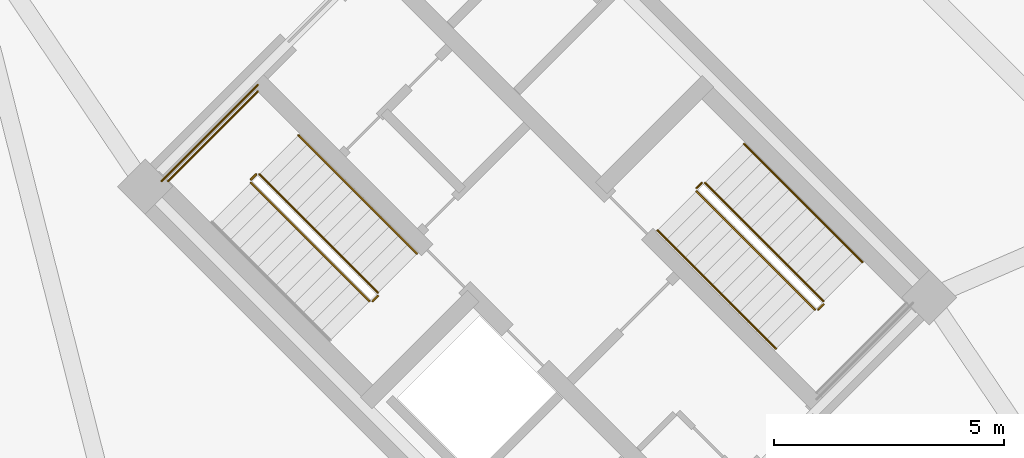
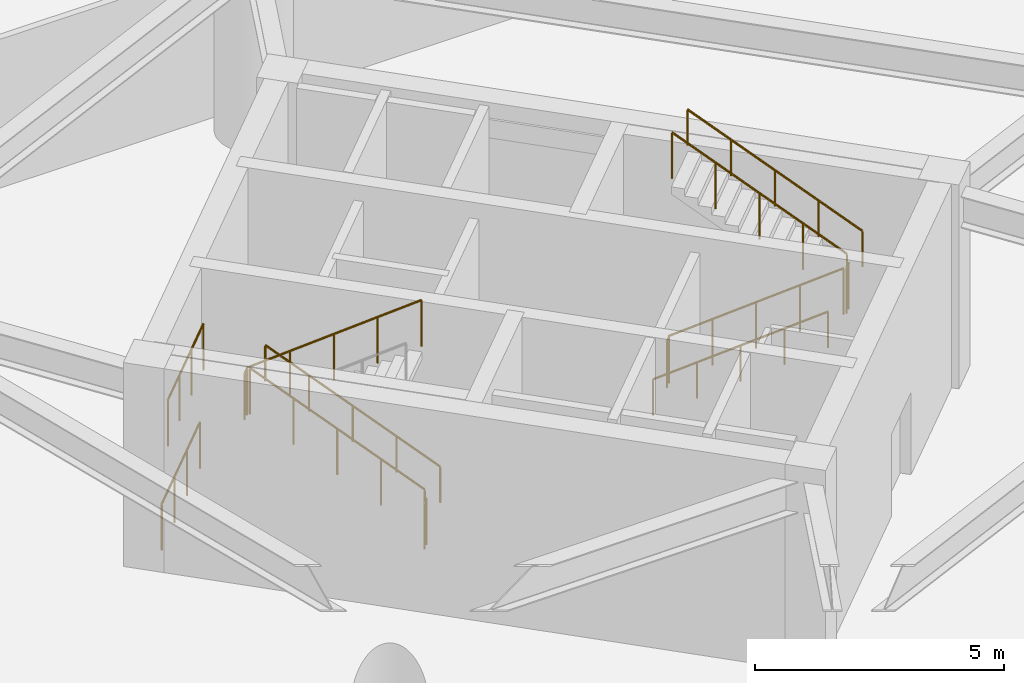
# One storey, part 12 of 14: 13 railings.
"""IFC4 building model written with IfcOpenShell, lengths in metres."""

from ifc_helpers import new_model, si_unit, direction, frame, origin, origin_2d, place, context, subcontext, project, spatial, circle, extrude, material, type_object, element, save


model = new_model("IFC4")

# Units and contexts
model_context = context("Model", 3, precision=1e-05, world=origin(), true_north=direction((0.0, 1.0)))
body_context = subcontext(model_context, "Body", "Model", "MODEL_VIEW")
ifc_project = project(units=[si_unit("LENGTHUNIT", "METRE"), si_unit("AREAUNIT", "SQUARE_METRE"), si_unit("VOLUMEUNIT", "CUBIC_METRE"), si_unit("PLANEANGLEUNIT", "RADIAN"), si_unit("MASSUNIT", "GRAM", prefix="KILO")], contexts=[model_context])

# Site, building, storey
site_placement = place(None, origin())
site = spatial("IfcSite", under=ifc_project, at=site_placement, CompositionType="ELEMENT")
building_placement = place(site_placement, origin())
building = spatial("IfcBuilding", under=site, at=building_placement, Name="Cununo Teusaquillo Station Towers", CompositionType="ELEMENT")
storey_placement = place(building_placement, frame((0.0, 0.0, -5.0)))
storey = spatial("IfcBuildingStorey", under=building, at=storey_placement, Name="B01", CompositionType="ELEMENT", Elevation=-5.0)

# Railings
ifc_material_1 = material(Name="Steel EN 10025-2 S355J2", Category="steel")
railing_type_1 = type_object("IfcRailingType", Name="RL-INT-GUARD", PredefinedType="GUARDRAIL", material=ifc_material_1)
railing_1_placement = place(storey_placement, frame((54.03515625, 23.39697265625, 0.178466796875)))
element("IfcRailing", 1, at=railing_1_placement, inside=storey, type_object=railing_type_1, Name="B01 ST-T2-1 stair guard 1", PredefinedType="GUARDRAIL", context=body_context, shape_type="SweptSolid", body=[
    extrude(circle(Radius=0.02392578125, at=origin_2d()), frame((0.0, 0.0, 1.1259765625), z_axis=(-0.596165694574, 0.596165694574, 0.537748016478), x_axis=(-0.707106781187, -0.707106781187, 0.0)), (0.0, 0.0, 1.0), 4.317138671875),
    extrude(circle(Radius=0.02099609375, at=origin_2d()), origin(), (0.0, 0.0, 1.0), 1.101806640625),
    extrude(circle(Radius=0.02099609375, at=origin_2d()), frame((-0.6435546875, 0.6435546875, 0.580322265625)), (0.0, 0.0, 1.0), 1.101806640625),
    extrude(circle(Radius=0.02099609375, at=origin_2d()), frame((-1.286865234375, 1.286865234375, 1.16064453125)), (0.0, 0.0, 1.0), 1.101806640625),
    extrude(circle(Radius=0.02099609375, at=origin_2d()), frame((-1.93017578125, 1.93017578125, 1.7412109375)), (0.0, 0.0, 1.0), 1.101806640625),
    extrude(circle(Radius=0.02099609375, at=origin_2d()), frame((-2.57373046875, 2.57373046875, 2.321533203125)), (0.0, 0.0, 1.0), 1.101806640625),
])
railing_2_placement = place(storey_placement, frame((51.390625, 25.970703125, 2.5)))
element("IfcRailing", 2, at=railing_2_placement, inside=storey, type_object=railing_type_1, Name="B01 ST-T2-1 stair guard 2", PredefinedType="GUARDRAIL", context=body_context, shape_type="SweptSolid", body=[
    extrude(circle(Radius=0.02392578125, at=origin_2d()), frame((0.0, 0.0, 1.1259765625), z_axis=(-0.707106781187, -0.707106781187, 0.0), x_axis=(0.707106781187, -0.707106781187, 0.0)), (0.0, 0.0, 1.0), 0.159912109375),
    extrude(circle(Radius=0.02099609375, at=origin_2d()), origin(), (0.0, 0.0, 1.0), 1.101806640625),
    extrude(circle(Radius=0.02099609375, at=origin_2d()), frame((-0.113037109375, -0.113037109375, 0.0)), (0.0, 0.0, 1.0), 1.101806640625),
])
railing_3_placement = place(storey_placement, frame((51.426025390625, 27.77392578125, 2.5)))
element("IfcRailing", 3, at=railing_3_placement, inside=storey, type_object=railing_type_1, Name="B01 ST-T2-1 stair guard 3", PredefinedType="GUARDRAIL", context=body_context, shape_type="SweptSolid", body=[
    extrude(circle(Radius=0.02392578125, at=origin_2d()), frame((0.0, 0.0, 1.1259765625), z_axis=(-0.707106781187, -0.707106781187, 0.0), x_axis=(0.707106781187, -0.707106781187, 0.0)), (0.0, 0.0, 1.0), 2.760009765625),
    extrude(circle(Radius=0.02099609375, at=origin_2d()), origin(), (0.0, 0.0, 1.0), 1.101806640625),
    extrude(circle(Radius=0.02099609375, at=origin_2d()), frame((-0.650634765625, -0.650634765625, 0.0)), (0.0, 0.0, 1.0), 1.101806640625),
    extrude(circle(Radius=0.02099609375, at=origin_2d()), frame((-1.301025390625, -1.301025390625, 0.0)), (0.0, 0.0, 1.0), 1.101806640625),
    extrude(circle(Radius=0.02099609375, at=origin_2d()), frame((-1.95166015625, -1.95166015625, 0.0)), (0.0, 0.0, 1.0), 1.101806640625),
])
railing_4_placement = place(storey_placement, frame((51.277587890625, 25.786865234375, 2.678466796875)))
element("IfcRailing", 4, at=railing_4_placement, inside=storey, type_object=railing_type_1, Name="B01 ST-T2-1 stair guard 4", PredefinedType="GUARDRAIL", context=body_context, shape_type="SweptSolid", body=[
    extrude(circle(Radius=0.02392578125, at=origin_2d()), frame((0.0, 0.0, 1.1259765625), z_axis=(0.596165694574, -0.596165694574, 0.537748016478), x_axis=(0.707106781187, 0.707106781187, 0.0)), (0.0, 0.0, 1.0), 4.317138671875),
    extrude(circle(Radius=0.02099609375, at=origin_2d()), origin(), (0.0, 0.0, 1.0), 1.101806640625),
    extrude(circle(Radius=0.02099609375, at=origin_2d()), frame((0.6435546875, -0.6435546875, 0.580322265625)), (0.0, 0.0, 1.0), 1.101806640625),
    extrude(circle(Radius=0.02099609375, at=origin_2d()), frame((1.286865234375, -1.286865234375, 1.16064453125)), (0.0, 0.0, 1.0), 1.101806640625),
    extrude(circle(Radius=0.02099609375, at=origin_2d()), frame((1.93017578125, -1.93017578125, 1.7412109375)), (0.0, 0.0, 1.0), 1.101806640625),
    extrude(circle(Radius=0.02099609375, at=origin_2d()), frame((2.57373046875, -2.57373046875, 2.321533203125)), (0.0, 0.0, 1.0), 1.101806640625),
])
railing_5_placement = place(storey_placement, frame((54.03515625, 23.326171875, 0.0)))
element("IfcRailing", 5, at=railing_5_placement, inside=storey, type_object=railing_type_1, Name="B01 ST-T2-1 stair guard 5", PredefinedType="GUARDRAIL", context=body_context, shape_type="SweptSolid", body=[
    extrude(circle(Radius=0.02392578125, at=origin_2d()), frame((0.0, 0.0, 1.1259765625), z_axis=(-0.707106781187, -0.707106781187, 0.0), x_axis=(0.707106781187, -0.707106781187, 0.0)), (0.0, 0.0, 1.0), 0.159912109375),
    extrude(circle(Radius=0.02099609375, at=origin_2d()), origin(), (0.0, 0.0, 1.0), 1.101806640625),
    extrude(circle(Radius=0.02099609375, at=origin_2d()), frame((-0.113037109375, -0.113037109375, 0.0)), (0.0, 0.0, 1.0), 1.101806640625),
])
railing_6_placement = place(storey_placement, frame((51.426025390625, 27.915283203125, 0.0)))
element("IfcRailing", 6, at=railing_6_placement, inside=storey, type_object=railing_type_1, Name="B01 ST-T2-1 stair guard 6", PredefinedType="GUARDRAIL", context=body_context, shape_type="SweptSolid", body=[
    extrude(circle(Radius=0.02392578125, at=origin_2d()), frame((0.0, 0.0, 1.1259765625), z_axis=(-0.707106781187, -0.707106781187, 0.0), x_axis=(0.707106781187, -0.707106781187, 0.0)), (0.0, 0.0, 1.0), 2.9599609375),
    extrude(circle(Radius=0.02099609375, at=origin_2d()), origin(), (0.0, 0.0, 1.0), 1.101806640625),
    extrude(circle(Radius=0.02099609375, at=origin_2d()), frame((-0.69775390625, -0.69775390625, 0.0)), (0.0, 0.0, 1.0), 1.101806640625),
    extrude(circle(Radius=0.02099609375, at=origin_2d()), frame((-1.395263671875, -1.395263671875, 0.0)), (0.0, 0.0, 1.0), 1.101806640625),
    extrude(circle(Radius=0.02099609375, at=origin_2d()), frame((-2.093017578125, -2.093017578125, 0.0)), (0.0, 0.0, 1.0), 1.101806640625),
])
railing_7_placement = place(storey_placement, frame((60.96484375, 25.60302734375, 0.178466796875)))
element("IfcRailing", 7, at=railing_7_placement, inside=storey, type_object=railing_type_1, Name="B01 ST-T2-2 stair guard 1", PredefinedType="GUARDRAIL", context=body_context, shape_type="SweptSolid", body=[
    extrude(circle(Radius=0.02392578125, at=origin_2d()), frame((0.0, 0.0, 1.1259765625), z_axis=(0.596165694574, -0.596165694574, 0.537748016478), x_axis=(0.707106781187, 0.707106781187, 0.0)), (0.0, 0.0, 1.0), 4.317138671875),
    extrude(circle(Radius=0.02099609375, at=origin_2d()), origin(), (0.0, 0.0, 1.0), 1.101806640625),
    extrude(circle(Radius=0.02099609375, at=origin_2d()), frame((0.6435546875, -0.6435546875, 0.580322265625)), (0.0, 0.0, 1.0), 1.101806640625),
    extrude(circle(Radius=0.02099609375, at=origin_2d()), frame((1.286865234375, -1.286865234375, 1.16064453125)), (0.0, 0.0, 1.0), 1.101806640625),
    extrude(circle(Radius=0.02099609375, at=origin_2d()), frame((1.93017578125, -1.93017578125, 1.7412109375)), (0.0, 0.0, 1.0), 1.101806640625),
    extrude(circle(Radius=0.02099609375, at=origin_2d()), frame((2.57373046875, -2.57373046875, 2.321533203125)), (0.0, 0.0, 1.0), 1.101806640625),
])
railing_8_placement = place(storey_placement, frame((63.609375, 23.029296875, 2.5)))
element("IfcRailing", 8, at=railing_8_placement, inside=storey, type_object=railing_type_1, Name="B01 ST-T2-2 stair guard 2", PredefinedType="GUARDRAIL", context=body_context, shape_type="SweptSolid", body=[
    extrude(circle(Radius=0.02392578125, at=origin_2d()), frame((0.0, 0.0, 1.1259765625), z_axis=(0.707106781187, 0.707106781187, 0.0), x_axis=(-0.707106781187, 0.707106781187, 0.0)), (0.0, 0.0, 1.0), 0.159912109375),
    extrude(circle(Radius=0.02099609375, at=origin_2d()), origin(), (0.0, 0.0, 1.0), 1.101806640625),
    extrude(circle(Radius=0.02099609375, at=origin_2d()), frame((0.113037109375, 0.113037109375, 0.0)), (0.0, 0.0, 1.0), 1.101806640625),
])
railing_9_placement = place(storey_placement, frame((63.722412109375, 23.213134765625, 2.678466796875)))
element("IfcRailing", 9, at=railing_9_placement, inside=storey, type_object=railing_type_1, Name="B01 ST-T2-2 stair guard 4", PredefinedType="GUARDRAIL", context=body_context, shape_type="SweptSolid", body=[
    extrude(circle(Radius=0.02392578125, at=origin_2d()), frame((0.0, 0.0, 1.1259765625), z_axis=(-0.596165694574, 0.596165694574, 0.537748016478), x_axis=(-0.707106781187, -0.707106781187, 0.0)), (0.0, 0.0, 1.0), 4.317138671875),
    extrude(circle(Radius=0.02099609375, at=origin_2d()), origin(), (0.0, 0.0, 1.0), 1.101806640625),
    extrude(circle(Radius=0.02099609375, at=origin_2d()), frame((-0.6435546875, 0.6435546875, 0.580322265625)), (0.0, 0.0, 1.0), 1.101806640625),
    extrude(circle(Radius=0.02099609375, at=origin_2d()), frame((-1.286865234375, 1.286865234375, 1.16064453125)), (0.0, 0.0, 1.0), 1.101806640625),
    extrude(circle(Radius=0.02099609375, at=origin_2d()), frame((-1.93017578125, 1.93017578125, 1.7412109375)), (0.0, 0.0, 1.0), 1.101806640625),
    extrude(circle(Radius=0.02099609375, at=origin_2d()), frame((-2.57373046875, 2.57373046875, 2.321533203125)), (0.0, 0.0, 1.0), 1.101806640625),
])
railing_10_placement = place(storey_placement, frame((60.96484375, 25.673828125, 0.0)))
element("IfcRailing", 10, at=railing_10_placement, inside=storey, type_object=railing_type_1, Name="B01 ST-T2-2 stair guard 5", PredefinedType="GUARDRAIL", context=body_context, shape_type="SweptSolid", body=[
    extrude(circle(Radius=0.02392578125, at=origin_2d()), frame((0.0, 0.0, 1.1259765625), z_axis=(0.707106781187, 0.707106781187, 0.0), x_axis=(-0.707106781187, 0.707106781187, 0.0)), (0.0, 0.0, 1.0), 0.159912109375),
    extrude(circle(Radius=0.02099609375, at=origin_2d()), origin(), (0.0, 0.0, 1.0), 1.101806640625),
    extrude(circle(Radius=0.02099609375, at=origin_2d()), frame((0.113037109375, 0.113037109375, 0.0)), (0.0, 0.0, 1.0), 1.101806640625),
])
ifc_material_2 = material(Name="Steel EN 10025-2 S355J2", Category="steel")
railing_type_2 = type_object("IfcRailingType", Name="RL-INT-HRAIL", PredefinedType="HANDRAIL", material=ifc_material_2)
railing_11_placement = place(storey_placement, frame((54.8837890625, 24.245361328125, 0.178466796875)))
element("IfcRailing", 11, at=railing_11_placement, inside=storey, type_object=railing_type_2, Name="B01 ST-T2-1 stair handrail 1", PredefinedType="HANDRAIL", context=body_context, shape_type="SweptSolid", body=[
    extrude(circle(Radius=0.02392578125, at=origin_2d()), frame((0.0, 0.0, 0.8759765625), z_axis=(-0.596182046077, 0.596182046077, 0.537711759096), x_axis=(-0.707106781187, -0.707106781187, 0.0)), (0.0, 0.0, 1.0), 4.3173828125),
    extrude(circle(Radius=0.02099609375, at=origin_2d()), origin(), (0.0, 0.0, 1.0), 0.851806640625),
    extrude(circle(Radius=0.02099609375, at=origin_2d()), frame((-0.6435546875, 0.6435546875, 0.580322265625)), (0.0, 0.0, 1.0), 0.851806640625),
    extrude(circle(Radius=0.02099609375, at=origin_2d()), frame((-1.287109375, 1.287109375, 1.16064453125)), (0.0, 0.0, 1.0), 0.851806640625),
    extrude(circle(Radius=0.02099609375, at=origin_2d()), frame((-1.930419921875, 1.930419921875, 1.7412109375)), (0.0, 0.0, 1.0), 0.851806640625),
    extrude(circle(Radius=0.02099609375, at=origin_2d()), frame((-2.573974609375, 2.573974609375, 2.321533203125)), (0.0, 0.0, 1.0), 0.851806640625),
])
railing_12_placement = place(storey_placement, frame((60.1162109375, 24.754638671875, 0.178466796875)))
element("IfcRailing", 12, at=railing_12_placement, inside=storey, type_object=railing_type_2, Name="B01 ST-T2-2 stair handrail 1", PredefinedType="HANDRAIL", context=body_context, shape_type="SweptSolid", body=[
    extrude(circle(Radius=0.02392578125, at=origin_2d()), frame((0.0, 0.0, 0.8759765625), z_axis=(0.596182046077, -0.596182046077, 0.537711759096), x_axis=(0.707106781187, 0.707106781187, 0.0)), (0.0, 0.0, 1.0), 4.3173828125),
    extrude(circle(Radius=0.02099609375, at=origin_2d()), origin(), (0.0, 0.0, 1.0), 0.851806640625),
    extrude(circle(Radius=0.02099609375, at=origin_2d()), frame((0.6435546875, -0.6435546875, 0.580322265625)), (0.0, 0.0, 1.0), 0.851806640625),
    extrude(circle(Radius=0.02099609375, at=origin_2d()), frame((1.287109375, -1.287109375, 1.16064453125)), (0.0, 0.0, 1.0), 0.851806640625),
    extrude(circle(Radius=0.02099609375, at=origin_2d()), frame((1.930419921875, -1.930419921875, 1.7412109375)), (0.0, 0.0, 1.0), 0.851806640625),
    extrude(circle(Radius=0.02099609375, at=origin_2d()), frame((2.573974609375, -2.573974609375, 2.321533203125)), (0.0, 0.0, 1.0), 0.851806640625),
])
railing_13_placement = place(storey_placement, frame((64.571044921875, 24.0615234375, 2.678466796875)))
element("IfcRailing", 13, at=railing_13_placement, inside=storey, type_object=railing_type_2, Name="B01 ST-T2-2 stair handrail 2", PredefinedType="HANDRAIL", context=body_context, shape_type="SweptSolid", body=[
    extrude(circle(Radius=0.02392578125, at=origin_2d()), frame((0.0, 0.0, 0.8759765625), z_axis=(-0.596182046077, 0.596182046077, 0.537711759096), x_axis=(-0.707106781187, -0.707106781187, 0.0)), (0.0, 0.0, 1.0), 4.3173828125),
    extrude(circle(Radius=0.02099609375, at=origin_2d()), origin(), (0.0, 0.0, 1.0), 0.851806640625),
    extrude(circle(Radius=0.02099609375, at=origin_2d()), frame((-0.6435546875, 0.6435546875, 0.580322265625)), (0.0, 0.0, 1.0), 0.851806640625),
    extrude(circle(Radius=0.02099609375, at=origin_2d()), frame((-1.287109375, 1.287109375, 1.16064453125)), (0.0, 0.0, 1.0), 0.851806640625),
    extrude(circle(Radius=0.02099609375, at=origin_2d()), frame((-1.930419921875, 1.930419921875, 1.7412109375)), (0.0, 0.0, 1.0), 0.851806640625),
    extrude(circle(Radius=0.02099609375, at=origin_2d()), frame((-2.573974609375, 2.573974609375, 2.321533203125)), (0.0, 0.0, 1.0), 0.851806640625),
])

save(model, "model.ifc")
